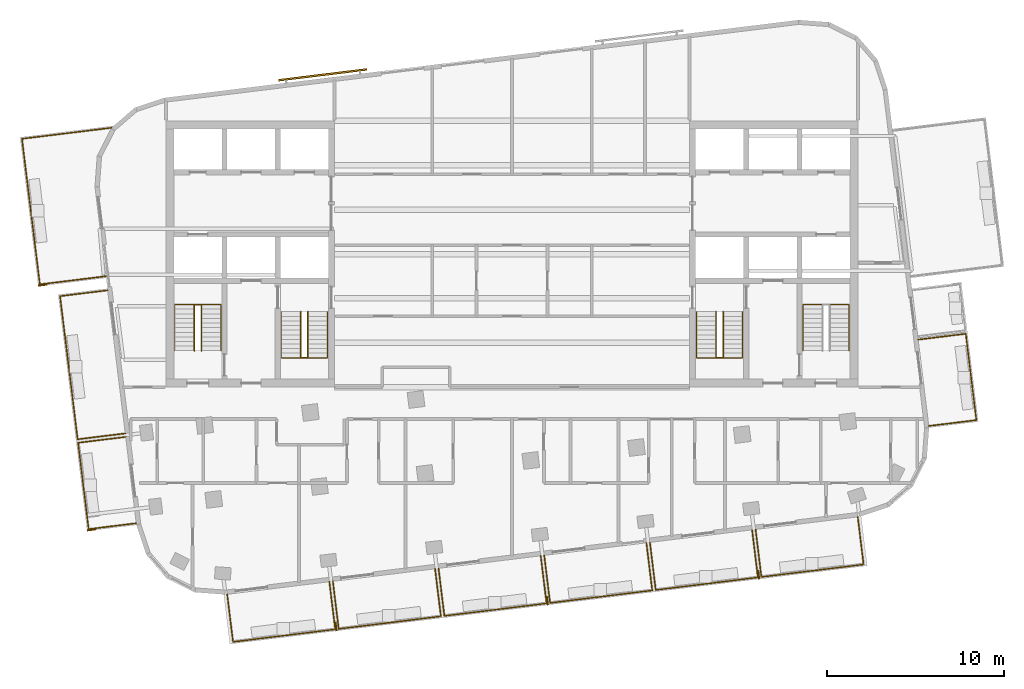
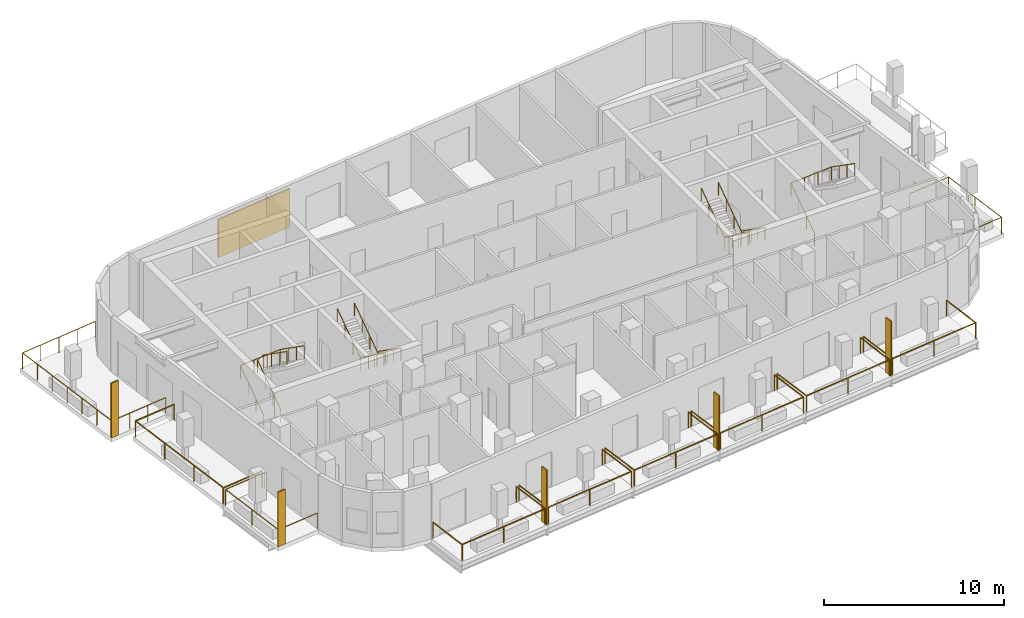
# One storey, part 9 of 11: 17 railings, 6 shading devices.
"""IFC4 building model written with IfcOpenShell, lengths in metres."""

from ifc_helpers import new_model, si_unit, direction, frame, origin, origin_2d, place, context, subcontext, project, spatial, rectangle, circle, extrude, material, layer, layer_set, type_object, element, save


model = new_model("IFC4")

# Units and contexts
model_context = context("Model", 3, precision=1e-05, world=origin(), true_north=direction((0.0, 1.0)))
body_context = subcontext(model_context, "Body", "Model", "MODEL_VIEW")
ifc_project = project(units=[si_unit("LENGTHUNIT", "METRE"), si_unit("AREAUNIT", "SQUARE_METRE"), si_unit("VOLUMEUNIT", "CUBIC_METRE"), si_unit("PLANEANGLEUNIT", "RADIAN"), si_unit("MASSUNIT", "GRAM", prefix="KILO")], contexts=[model_context])

# Site, building, storey
site_placement = place(None, origin())
site = spatial("IfcSite", under=ifc_project, at=site_placement, CompositionType="ELEMENT")
building_placement = place(site_placement, origin())
building = spatial("IfcBuilding", under=site, at=building_placement, Name="Torana Hotel and Residences", CompositionType="ELEMENT")
storey_placement = place(building_placement, frame((0.0, 0.0, 326.60009765625)))
storey = spatial("IfcBuildingStorey", under=building, at=storey_placement, Name="L86", CompositionType="ELEMENT", Elevation=326.60009765625)

# Shading devices
ifc_material_1 = material(Name="Black powder coated aluminium", Category="aluminium")
ifc_layer_1 = layer(ifc_material_1, 0.080078125)
ifc_layer_set_1 = layer_set([ifc_layer_1], Name="FN1 VERTICAL FIN 500x80")
shading_device_type_1 = type_object("IfcShadingDeviceType", Name="FN1 VERTICAL FIN 500x80", PredefinedType="USERDEFINED", material=ifc_layer_set_1)
for number, where, z_axis, x_axis, name in (
    (1, (-9.921142578125, -28.4931640625, 0.0), (0.0, 0.0, 1.0), (-0.99254657704, -0.121865878765, 0.0), "Fin 01"),
    (2, (1.989501953125, -27.03076171875, 0.0), (0.0, 0.0, 1.0), (-0.99254657704, -0.121865878765, 0.0), "Fin 03"),
    (3, (13.89990234375, -25.568359375, 0.0), (0.0, 0.0, 1.0), (-0.99254657704, -0.121865878765, 0.0), "Fin 05"),
    (4, (-23.6982421875, -23.04150390625, 0.0), (0.0, 0.0, 1.0), (-0.121881469635, 0.992544662652, 0.0), "Fin 07"),
    (5, (-26.44970703125, -9.2490234375, 0.0), (0.0, 0.0, 1.0), (-0.121871075725, 0.992545938938, 0.0), "Fin 09"),
):
    element("IfcShadingDevice", number, at=place(storey_placement, frame(where, z_axis=z_axis, x_axis=x_axis)), inside=storey, type_object=shading_device_type_1, Name=name, ObjectType="FIN", PredefinedType="USERDEFINED", context=body_context, shape_type="SweptSolid", body=[
        extrude(rectangle(XDim=0.080078125, YDim=0.5, at=origin_2d()), origin(), (0.0, 0.0, 1.0), 3.719970703125),
    ])

# Railings
ifc_material_2 = material(Name="Laminated glass balustrade with black handrail", Category="glass")
railing_type_1 = type_object("IfcRailingType", Name="GR1 BALCONY GUARD 1100 GLASS", PredefinedType="GUARDRAIL", material=ifc_material_2)
railing_1_placement = place(storey_placement, frame((-10.29150390625, -25.969482421875, 0.0)))
element("IfcRailing", 6, at=railing_1_placement, inside=storey, type_object=railing_type_1, Name="Balcony guard 01", PredefinedType="GUARDRAIL", context=body_context, shape_type="SweptSolid", body=[
    extrude(circle(Radius=0.02392578125, at=origin_2d()), frame((0.0, 0.0, 1.076171875), z_axis=(0.121886613265, -0.992544031017, 0.0), x_axis=(0.992544031017, 0.121886613265, 0.0)), (0.0, 0.0, 1.0), 2.699951171875),
    extrude(circle(Radius=0.02392578125, at=origin_2d()), frame((0.3291015625, -2.679931640625, 1.076171875), z_axis=(-0.992547475119, -0.121858564057, 0.0), x_axis=(0.121858564057, -0.992547475119, 0.0)), (0.0, 0.0, 1.0), 5.800048828125),
    extrude(circle(Radius=0.02392578125, at=origin_2d()), frame((-5.427734375, -3.38671875, 1.076171875), z_axis=(-0.121797534772, 0.992554965996, 0.0), x_axis=(-0.992554965996, -0.121797534772, 0.0)), (0.0, 0.0, 1.0), 2.699951171875),
    extrude(circle(Radius=0.02099609375, at=origin_2d()), origin(), (0.0, 0.0, 1.0), 1.052001953125),
    extrude(circle(Radius=0.02099609375, at=origin_2d()), frame((0.3291015625, -2.679931640625, 0.0)), (0.0, 0.0, 1.0), 1.052001953125),
    extrude(circle(Radius=0.02099609375, at=origin_2d()), frame((-2.54931640625, -3.033203125, 0.0)), (0.0, 0.0, 1.0), 1.052001953125),
    extrude(circle(Radius=0.02099609375, at=origin_2d()), frame((-5.427734375, -3.38671875, 0.0)), (0.0, 0.0, 1.0), 1.052001953125),
    extrude(circle(Radius=0.02099609375, at=origin_2d()), frame((-5.756591796875, -0.706787109375, 0.0)), (0.0, 0.0, 1.0), 1.052001953125),
])
for number, where, name in (
    (7, (-4.336181640625, -25.23828125, 0.0), "Balcony guard 02"),
    (8, (1.619140625, -24.507080078125, 0.0), "Balcony guard 03"),
):
    element("IfcRailing", number, at=place(storey_placement, frame(where)), inside=storey, type_object=railing_type_1, Name=name, PredefinedType="GUARDRAIL", context=body_context, shape_type="SweptSolid", body=[
        extrude(circle(Radius=0.02392578125, at=origin_2d()), frame((0.0, 0.0, 1.076171875), z_axis=(0.121886613265, -0.992544031017, 0.0), x_axis=(0.992544031017, 0.121886613265, 0.0)), (0.0, 0.0, 1.0), 2.699951171875),
        extrude(circle(Radius=0.02392578125, at=origin_2d()), frame((0.3291015625, -2.679931640625, 1.076171875), z_axis=(-0.992547475119, -0.121858564057, 0.0), x_axis=(0.121858564057, -0.992547475119, 0.0)), (0.0, 0.0, 1.0), 5.800048828125),
        extrude(circle(Radius=0.02392578125, at=origin_2d()), frame((-5.427734375, -3.38671875, 1.076171875), z_axis=(-0.121886613265, 0.992544031017, 0.0), x_axis=(-0.992544031017, -0.121886613265, 0.0)), (0.0, 0.0, 1.0), 2.699951171875),
        extrude(circle(Radius=0.02099609375, at=origin_2d()), origin(), (0.0, 0.0, 1.0), 1.052001953125),
        extrude(circle(Radius=0.02099609375, at=origin_2d()), frame((0.3291015625, -2.679931640625, 0.0)), (0.0, 0.0, 1.0), 1.052001953125),
        extrude(circle(Radius=0.02099609375, at=origin_2d()), frame((-2.54931640625, -3.033203125, 0.0)), (0.0, 0.0, 1.0), 1.052001953125),
        extrude(circle(Radius=0.02099609375, at=origin_2d()), frame((-5.427734375, -3.38671875, 0.0)), (0.0, 0.0, 1.0), 1.052001953125),
        extrude(circle(Radius=0.02099609375, at=origin_2d()), frame((-5.7568359375, -0.706787109375, 0.0)), (0.0, 0.0, 1.0), 1.052001953125),
    ])
railing_2_placement = place(storey_placement, frame((7.57421875, -23.77587890625, 0.0)))
element("IfcRailing", 9, at=railing_2_placement, inside=storey, type_object=railing_type_1, Name="Balcony guard 04", PredefinedType="GUARDRAIL", context=body_context, shape_type="SweptSolid", body=[
    extrude(circle(Radius=0.02392578125, at=origin_2d()), frame((0.0, 0.0, 1.076171875), z_axis=(0.121886613265, -0.992544031017, 0.0), x_axis=(0.992544031017, 0.121886613265, 0.0)), (0.0, 0.0, 1.0), 2.699951171875),
    extrude(circle(Radius=0.02392578125, at=origin_2d()), frame((0.3291015625, -2.679931640625, 1.076171875), z_axis=(-0.992546850023, -0.121863655406, 0.0), x_axis=(0.121863655406, -0.992546850023, 0.0)), (0.0, 0.0, 1.0), 5.7998046875),
    extrude(circle(Radius=0.02392578125, at=origin_2d()), frame((-5.427490234375, -3.38671875, 1.076171875), z_axis=(-0.121886613265, 0.992544031017, 0.0), x_axis=(-0.992544031017, -0.121886613265, 0.0)), (0.0, 0.0, 1.0), 2.699951171875),
    extrude(circle(Radius=0.02099609375, at=origin_2d()), origin(), (0.0, 0.0, 1.0), 1.052001953125),
    extrude(circle(Radius=0.02099609375, at=origin_2d()), frame((0.3291015625, -2.679931640625, 0.0)), (0.0, 0.0, 1.0), 1.052001953125),
    extrude(circle(Radius=0.02099609375, at=origin_2d()), frame((-2.54931640625, -3.033203125, 0.0)), (0.0, 0.0, 1.0), 1.052001953125),
    extrude(circle(Radius=0.02099609375, at=origin_2d()), frame((-5.427490234375, -3.38671875, 0.0)), (0.0, 0.0, 1.0), 1.052001953125),
    extrude(circle(Radius=0.02099609375, at=origin_2d()), frame((-5.756591796875, -0.706787109375, 0.0)), (0.0, 0.0, 1.0), 1.052001953125),
])
for number, where, name in (
    (10, (13.529541015625, -23.044677734375, 0.0), "Balcony guard 05"),
    (11, (19.48486328125, -22.3134765625, 0.0), "Balcony guard 06"),
):
    element("IfcRailing", number, at=place(storey_placement, frame(where)), inside=storey, type_object=railing_type_1, Name=name, PredefinedType="GUARDRAIL", context=body_context, shape_type="SweptSolid", body=[
        extrude(circle(Radius=0.02392578125, at=origin_2d()), frame((0.0, 0.0, 1.076171875), z_axis=(0.121886613265, -0.992544031017, 0.0), x_axis=(0.992544031017, 0.121886613265, 0.0)), (0.0, 0.0, 1.0), 2.699951171875),
        extrude(circle(Radius=0.02392578125, at=origin_2d()), frame((0.3291015625, -2.679931640625, 1.076171875), z_axis=(-0.992547475119, -0.121858564057, 0.0), x_axis=(0.121858564057, -0.992547475119, 0.0)), (0.0, 0.0, 1.0), 5.800048828125),
        extrude(circle(Radius=0.02392578125, at=origin_2d()), frame((-5.427734375, -3.38671875, 1.076171875), z_axis=(-0.121797534772, 0.992554965996, 0.0), x_axis=(-0.992554965996, -0.121797534772, 0.0)), (0.0, 0.0, 1.0), 2.699951171875),
        extrude(circle(Radius=0.02099609375, at=origin_2d()), origin(), (0.0, 0.0, 1.0), 1.052001953125),
        extrude(circle(Radius=0.02099609375, at=origin_2d()), frame((0.3291015625, -2.679931640625, 0.0)), (0.0, 0.0, 1.0), 1.052001953125),
        extrude(circle(Radius=0.02099609375, at=origin_2d()), frame((-2.54931640625, -3.033203125, 0.0)), (0.0, 0.0, 1.0), 1.052001953125),
        extrude(circle(Radius=0.02099609375, at=origin_2d()), frame((-5.427734375, -3.38671875, 0.0)), (0.0, 0.0, 1.0), 1.052001953125),
        extrude(circle(Radius=0.02099609375, at=origin_2d()), frame((-5.756591796875, -0.706787109375, 0.0)), (0.0, 0.0, 1.0), 1.052001953125),
    ])
railing_3_placement = place(storey_placement, frame((-21.174560546875, -22.671142578125, 0.0)))
element("IfcRailing", 12, at=railing_3_placement, inside=storey, type_object=railing_type_1, Name="Balcony guard 07", PredefinedType="GUARDRAIL", context=body_context, shape_type="SweptSolid", body=[
    extrude(circle(Radius=0.02392578125, at=origin_2d()), frame((0.0, 0.0, 1.076171875), z_axis=(-0.992544031017, -0.121886613265, 0.0), x_axis=(0.121886613265, -0.992544031017, 0.0)), (0.0, 0.0, 1.0), 2.699951171875),
    extrude(circle(Radius=0.02392578125, at=origin_2d()), frame((-2.679931640625, -0.3291015625, 1.076171875), z_axis=(-0.121869773493, 0.992546098833, 0.0), x_axis=(-0.992546098833, -0.121869773493, 0.0)), (0.0, 0.0, 1.0), 4.900146484375),
    extrude(circle(Radius=0.02392578125, at=origin_2d()), frame((-3.277099609375, 4.534423828125, 1.076171875), z_axis=(0.992554965996, 0.121797534772, 0.0), x_axis=(-0.121797534772, 0.992554965996, 0.0)), (0.0, 0.0, 1.0), 2.699951171875),
    extrude(circle(Radius=0.02099609375, at=origin_2d()), origin(), (0.0, 0.0, 1.0), 1.052001953125),
    extrude(circle(Radius=0.02099609375, at=origin_2d()), frame((-2.679931640625, -0.3291015625, 0.0)), (0.0, 0.0, 1.0), 1.052001953125),
    extrude(circle(Radius=0.02099609375, at=origin_2d()), frame((-2.978515625, 2.1025390625, 0.0)), (0.0, 0.0, 1.0), 1.052001953125),
    extrude(circle(Radius=0.02099609375, at=origin_2d()), frame((-3.277099609375, 4.534423828125, 0.0)), (0.0, 0.0, 1.0), 1.052001953125),
    extrude(circle(Radius=0.02099609375, at=origin_2d()), frame((-0.59716796875, 4.86328125, 0.0)), (0.0, 0.0, 1.0), 1.052001953125),
])
railing_4_placement = place(storey_placement, frame((-21.796142578125, -17.609130859375, 0.0)))
element("IfcRailing", 13, at=railing_4_placement, inside=storey, type_object=railing_type_1, Name="Balcony guard 08", PredefinedType="GUARDRAIL", context=body_context, shape_type="SweptSolid", body=[
    extrude(circle(Radius=0.02392578125, at=origin_2d()), frame((0.0, 0.0, 1.076171875), z_axis=(-0.992544031017, -0.121886613265, 0.0), x_axis=(0.121886613265, -0.992544031017, 0.0)), (0.0, 0.0, 1.0), 2.699951171875),
    extrude(circle(Radius=0.02392578125, at=origin_2d()), frame((-2.679931640625, -0.3291015625, 1.076171875), z_axis=(-0.121845081243, 0.992549130359, 0.0), x_axis=(-0.992549130359, -0.121845081243, 0.0)), (0.0, 0.0, 1.0), 8.125),
    extrude(circle(Radius=0.02392578125, at=origin_2d()), frame((-3.669921875, 7.7353515625, 1.076171875), z_axis=(0.992554965996, 0.121797534772, 0.0), x_axis=(-0.121797534772, 0.992554965996, 0.0)), (0.0, 0.0, 1.0), 2.699951171875),
    extrude(circle(Radius=0.02099609375, at=origin_2d()), origin(), (0.0, 0.0, 1.0), 1.052001953125),
    extrude(circle(Radius=0.02099609375, at=origin_2d()), frame((-2.679931640625, -0.3291015625, 0.0)), (0.0, 0.0, 1.0), 1.052001953125),
    extrude(circle(Radius=0.02099609375, at=origin_2d()), frame((-3.010009765625, 2.359130859375, 0.0)), (0.0, 0.0, 1.0), 1.052001953125),
    extrude(circle(Radius=0.02099609375, at=origin_2d()), frame((-3.33984375, 5.047119140625, 0.0)), (0.0, 0.0, 1.0), 1.052001953125),
    extrude(circle(Radius=0.02099609375, at=origin_2d()), frame((-3.669921875, 7.7353515625, 0.0)), (0.0, 0.0, 1.0), 1.052001953125),
    extrude(circle(Radius=0.02099609375, at=origin_2d()), frame((-0.989990234375, 8.064208984375, 0.0)), (0.0, 0.0, 1.0), 1.052001953125),
])
railing_5_placement = place(storey_placement, frame((-22.8837890625, -8.750732421875, 0.0)))
element("IfcRailing", 14, at=railing_5_placement, inside=storey, type_object=railing_type_1, Name="Balcony guard 09", PredefinedType="GUARDRAIL", context=body_context, shape_type="SweptSolid", body=[
    extrude(circle(Radius=0.02392578125, at=origin_2d()), frame((0.0, 0.0, 1.076171875), z_axis=(-0.992544975267, -0.121878923824, 0.0), x_axis=(0.121878923824, -0.992544975267, 0.0)), (0.0, 0.0, 1.0), 3.75),
    extrude(circle(Radius=0.02392578125, at=origin_2d()), frame((-3.721923828125, -0.45703125, 1.076171875), z_axis=(-0.121878024543, 0.992545085693, 0.0), x_axis=(-0.992545085693, -0.121878024543, 0.0)), (0.0, 0.0, 1.0), 8.262939453125),
    extrude(circle(Radius=0.02392578125, at=origin_2d()), frame((-4.72900390625, 7.744384765625, 1.076171875), z_axis=(0.992542638755, 0.12189795016, 0.0), x_axis=(-0.12189795016, 0.992542638755, 0.0)), (0.0, 0.0, 1.0), 5.0771484375),
    extrude(circle(Radius=0.02099609375, at=origin_2d()), origin(), (0.0, 0.0, 1.0), 1.052001953125),
    extrude(circle(Radius=0.02099609375, at=origin_2d()), frame((-1.24072265625, -0.15234375, 0.0)), (0.0, 0.0, 1.0), 1.052001953125),
    extrude(circle(Radius=0.02099609375, at=origin_2d()), frame((-2.481201171875, -0.3046875, 0.0)), (0.0, 0.0, 1.0), 1.052001953125),
    extrude(circle(Radius=0.02099609375, at=origin_2d()), frame((-3.721923828125, -0.45703125, 0.0)), (0.0, 0.0, 1.0), 1.052001953125),
    extrude(circle(Radius=0.02099609375, at=origin_2d()), frame((-3.8896484375, 0.909912109375, 0.0)), (0.0, 0.0, 1.0), 1.052001953125),
    extrude(circle(Radius=0.02099609375, at=origin_2d()), frame((-4.0576171875, 2.27685546875, 0.0)), (0.0, 0.0, 1.0), 1.052001953125),
    extrude(circle(Radius=0.02099609375, at=origin_2d()), frame((-4.2255859375, 3.6435546875, 0.0)), (0.0, 0.0, 1.0), 1.052001953125),
    extrude(circle(Radius=0.02099609375, at=origin_2d()), frame((-4.393310546875, 5.010498046875, 0.0)), (0.0, 0.0, 1.0), 1.052001953125),
    extrude(circle(Radius=0.02099609375, at=origin_2d()), frame((-4.56103515625, 6.37744140625, 0.0)), (0.0, 0.0, 1.0), 1.052001953125),
    extrude(circle(Radius=0.02099609375, at=origin_2d()), frame((-4.72900390625, 7.744384765625, 0.0)), (0.0, 0.0, 1.0), 1.052001953125),
    extrude(circle(Radius=0.02099609375, at=origin_2d()), frame((-3.46923828125, 7.899169921875, 0.0)), (0.0, 0.0, 1.0), 1.052001953125),
    extrude(circle(Radius=0.02099609375, at=origin_2d()), frame((-2.20947265625, 8.0537109375, 0.0)), (0.0, 0.0, 1.0), 1.052001953125),
    extrude(circle(Radius=0.02099609375, at=origin_2d()), frame((-0.949462890625, 8.20849609375, 0.0)), (0.0, 0.0, 1.0), 1.052001953125),
    extrude(circle(Radius=0.02099609375, at=origin_2d()), frame((0.310302734375, 8.36328125, 0.0)), (0.0, 0.0, 1.0), 1.052001953125),
])
railing_6_placement = place(storey_placement, frame((22.892822265625, -12.32373046875, 0.0)))
element("IfcRailing", 15, at=railing_6_placement, inside=storey, type_object=railing_type_1, Name="Balcony guard 10", PredefinedType="GUARDRAIL", context=body_context, shape_type="SweptSolid", body=[
    extrude(circle(Radius=0.02392578125, at=origin_2d()), frame((0.0, 0.0, 1.076171875), z_axis=(0.992544031017, 0.121886613265, 0.0), x_axis=(-0.121886613265, 0.992544031017, 0.0)), (0.0, 0.0, 1.0), 2.699951171875),
    extrude(circle(Radius=0.02392578125, at=origin_2d()), frame((2.679931640625, 0.3291015625, 1.076171875), z_axis=(0.121869773493, -0.992546098833, 0.0), x_axis=(0.992546098833, 0.121869773493, 0.0)), (0.0, 0.0, 1.0), 4.900146484375),
    extrude(circle(Radius=0.02392578125, at=origin_2d()), frame((3.277099609375, -4.534423828125, 1.076171875), z_axis=(-0.992554965996, -0.121797534772, 0.0), x_axis=(0.121797534772, -0.992554965996, 0.0)), (0.0, 0.0, 1.0), 2.699951171875),
    extrude(circle(Radius=0.02099609375, at=origin_2d()), origin(), (0.0, 0.0, 1.0), 1.052001953125),
    extrude(circle(Radius=0.02099609375, at=origin_2d()), frame((2.679931640625, 0.3291015625, 0.0)), (0.0, 0.0, 1.0), 1.052001953125),
    extrude(circle(Radius=0.02099609375, at=origin_2d()), frame((2.978515625, -2.1025390625, 0.0)), (0.0, 0.0, 1.0), 1.052001953125),
    extrude(circle(Radius=0.02099609375, at=origin_2d()), frame((3.277099609375, -4.534423828125, 0.0)), (0.0, 0.0, 1.0), 1.052001953125),
    extrude(circle(Radius=0.02099609375, at=origin_2d()), frame((0.59716796875, -4.86328125, 0.0)), (0.0, 0.0, 1.0), 1.052001953125),
])

# Shading device
ifc_material_3 = material(Name="Concrete C40/50 precast", Category="concrete")
ifc_layer_2 = layer(ifc_material_3, 0.10009765625)
ifc_layer_set_2 = layer_set([ifc_layer_2], Name="SC1 PERFORATED BLOCK SCREEN PANEL 100")
shading_device_type_2 = type_object("IfcShadingDeviceType", Name="SC1 PERFORATED BLOCK SCREEN PANEL 100", PredefinedType="USERDEFINED", material=ifc_layer_set_2)
shading_device_placement = place(storey_placement, frame((-10.663330078125, 2.59814453125, 0.499755859375), z_axis=(0.0, 0.0, 1.0), x_axis=(-0.99254657704, -0.121865878765, 0.0)))
element("IfcShadingDevice", 16, at=shading_device_placement, inside=storey, type_object=shading_device_type_2, Name="Perforated block screen L86", ObjectType="SCREEN", PredefinedType="USERDEFINED", context=body_context, shape_type="SweptSolid", body=[
    extrude(rectangle(XDim=5.0, YDim=0.10009765625, at=origin_2d()), origin(), (0.0, 0.0, 1.0), 2.60009765625),
])

# Railings
ifc_material_4 = material(Name="Stainless steel 316", Category="steel")
railing_type_2 = type_object("IfcRailingType", Name="STAIR HANDRAIL HR1 900", PredefinedType="HANDRAIL", material=ifc_material_4)
railing_7_placement = place(storey_placement, frame((-10.39990234375, -10.75, 0.181640625)))
element("IfcRailing", 17, at=railing_7_placement, inside=storey, type_object=railing_type_2, Name="Handrail ST1 L86 O1", PredefinedType="HANDRAIL", context=body_context, shape_type="SweptSolid", body=[
    extrude(circle(Radius=0.02392578125, at=origin_2d()), frame((0.0, 0.0, 0.8759765625), z_axis=(0.0, -0.819484887739, 0.573100792852), x_axis=(1.0, 0.0, 0.0)), (0.0, 0.0, 1.0), 3.1728515625),
    extrude(circle(Radius=0.02392578125, at=origin_2d()), frame((0.0, -2.60009765625, 2.6943359375), z_axis=(-0.997568744571, 0.0, 0.06968930948), x_axis=(0.0, -1.0, 0.0)), (0.0, 0.0, 1.0), 2.6064453125),
    extrude(circle(Radius=0.02392578125, at=origin_2d()), frame((-2.60009765625, -2.60009765625, 2.8759765625), z_axis=(0.0, 0.819484887739, 0.573100792852), x_axis=(-1.0, 0.0, 0.0)), (0.0, 0.0, 1.0), 3.1728515625),
    extrude(circle(Radius=0.02099609375, at=origin_2d()), origin(), (0.0, 0.0, 1.0), 0.851806640625),
    extrude(circle(Radius=0.02099609375, at=origin_2d()), frame((0.0, -0.86669921875, 0.606201171875)), (0.0, 0.0, 1.0), 0.851806640625),
    extrude(circle(Radius=0.02099609375, at=origin_2d()), frame((0.0, -1.7333984375, 1.212158203125)), (0.0, 0.0, 1.0), 0.851806640625),
    extrude(circle(Radius=0.02099609375, at=origin_2d()), frame((0.0, -2.60009765625, 1.818359375)), (0.0, 0.0, 1.0), 0.851806640625),
    extrude(circle(Radius=0.02099609375, at=origin_2d()), frame((-0.86669921875, -2.60009765625, 1.87890625)), (0.0, 0.0, 1.0), 0.851806640625),
    extrude(circle(Radius=0.02099609375, at=origin_2d()), frame((-1.7333984375, -2.60009765625, 1.939453125)), (0.0, 0.0, 1.0), 0.851806640625),
    extrude(circle(Radius=0.02099609375, at=origin_2d()), frame((-2.60009765625, -2.60009765625, 2.0)), (0.0, 0.0, 1.0), 0.851806640625),
    extrude(circle(Radius=0.02099609375, at=origin_2d()), frame((-2.60009765625, -1.7333984375, 2.606201171875)), (0.0, 0.0, 1.0), 0.851806640625),
    extrude(circle(Radius=0.02099609375, at=origin_2d()), frame((-2.60009765625, -0.86669921875, 3.212158203125)), (0.0, 0.0, 1.0), 0.851806640625),
    extrude(circle(Radius=0.02099609375, at=origin_2d()), frame((-2.60009765625, 0.0, 3.818359375)), (0.0, 0.0, 1.0), 0.851806640625),
])
railing_8_placement = place(storey_placement, frame((-11.5, -10.75, 0.181640625)))
element("IfcRailing", 18, at=railing_8_placement, inside=storey, type_object=railing_type_2, Name="Handrail ST1 L86 I1", PredefinedType="HANDRAIL", context=body_context, shape_type="SweptSolid", body=[
    extrude(circle(Radius=0.02392578125, at=origin_2d()), frame((0.0, 0.0, 0.8759765625), z_axis=(0.0, -0.819484887739, 0.573100792852), x_axis=(1.0, 0.0, 0.0)), (0.0, 0.0, 1.0), 3.1728515625),
    extrude(circle(Radius=0.02392578125, at=origin_2d()), frame((0.0, -2.60009765625, 2.6943359375), z_axis=(-0.910480658332, 0.0, 0.413551654334), x_axis=(0.0, -1.0, 0.0)), (0.0, 0.0, 1.0), 0.439208984375),
    extrude(circle(Radius=0.02392578125, at=origin_2d()), frame((-0.39990234375, -2.60009765625, 2.8759765625), z_axis=(0.0, 0.819484887739, 0.573100792852), x_axis=(-1.0, 0.0, 0.0)), (0.0, 0.0, 1.0), 3.1728515625),
    extrude(circle(Radius=0.02099609375, at=origin_2d()), origin(), (0.0, 0.0, 1.0), 0.851806640625),
    extrude(circle(Radius=0.02099609375, at=origin_2d()), frame((0.0, -0.86669921875, 0.606201171875)), (0.0, 0.0, 1.0), 0.851806640625),
    extrude(circle(Radius=0.02099609375, at=origin_2d()), frame((0.0, -1.7333984375, 1.212158203125)), (0.0, 0.0, 1.0), 0.851806640625),
    extrude(circle(Radius=0.02099609375, at=origin_2d()), frame((0.0, -2.60009765625, 1.818359375)), (0.0, 0.0, 1.0), 0.851806640625),
    extrude(circle(Radius=0.02099609375, at=origin_2d()), frame((-0.39990234375, -2.60009765625, 2.0)), (0.0, 0.0, 1.0), 0.851806640625),
    extrude(circle(Radius=0.02099609375, at=origin_2d()), frame((-0.39990234375, -1.7333984375, 2.606201171875)), (0.0, 0.0, 1.0), 0.851806640625),
    extrude(circle(Radius=0.02099609375, at=origin_2d()), frame((-0.39990234375, -0.86669921875, 3.212158203125)), (0.0, 0.0, 1.0), 0.851806640625),
    extrude(circle(Radius=0.02099609375, at=origin_2d()), frame((-0.39990234375, 0.0, 3.818359375)), (0.0, 0.0, 1.0), 0.851806640625),
])
railing_9_placement = place(storey_placement, frame((-19.0, -12.949951171875, 0.181640625)))
element("IfcRailing", 19, at=railing_9_placement, inside=storey, type_object=railing_type_2, Name="Handrail ST2 L86 O1", PredefinedType="HANDRAIL", context=body_context, shape_type="SweptSolid", body=[
    extrude(circle(Radius=0.02392578125, at=origin_2d()), frame((0.0, 0.0, 0.8759765625), z_axis=(0.0, 0.819459612548, 0.573136932506), x_axis=(-1.0, 0.0, 0.0)), (0.0, 0.0, 1.0), 3.172607421875),
    extrude(circle(Radius=0.02392578125, at=origin_2d()), frame((0.0, 2.599853515625, 2.6943359375), z_axis=(0.997568744571, 0.0, 0.06968930948), x_axis=(0.0, 1.0, 0.0)), (0.0, 0.0, 1.0), 2.6064453125),
    extrude(circle(Radius=0.02392578125, at=origin_2d()), frame((2.60009765625, 2.599853515625, 2.8759765625), z_axis=(0.0, -0.819459612548, 0.573136932506), x_axis=(1.0, 0.0, 0.0)), (0.0, 0.0, 1.0), 3.172607421875),
    extrude(circle(Radius=0.02099609375, at=origin_2d()), origin(), (0.0, 0.0, 1.0), 0.851806640625),
    extrude(circle(Radius=0.02099609375, at=origin_2d()), frame((0.0, 0.86669921875, 0.606201171875)), (0.0, 0.0, 1.0), 0.851806640625),
    extrude(circle(Radius=0.02099609375, at=origin_2d()), frame((0.0, 1.733154296875, 1.212158203125)), (0.0, 0.0, 1.0), 0.851806640625),
    extrude(circle(Radius=0.02099609375, at=origin_2d()), frame((0.0, 2.599853515625, 1.818359375)), (0.0, 0.0, 1.0), 0.851806640625),
    extrude(circle(Radius=0.02099609375, at=origin_2d()), frame((0.86669921875, 2.599853515625, 1.87890625)), (0.0, 0.0, 1.0), 0.851806640625),
    extrude(circle(Radius=0.02099609375, at=origin_2d()), frame((1.7333984375, 2.599853515625, 1.939453125)), (0.0, 0.0, 1.0), 0.851806640625),
    extrude(circle(Radius=0.02099609375, at=origin_2d()), frame((2.60009765625, 2.599853515625, 2.0)), (0.0, 0.0, 1.0), 0.851806640625),
    extrude(circle(Radius=0.02099609375, at=origin_2d()), frame((2.60009765625, 1.733154296875, 2.606201171875)), (0.0, 0.0, 1.0), 0.851806640625),
    extrude(circle(Radius=0.02099609375, at=origin_2d()), frame((2.60009765625, 0.86669921875, 3.212158203125)), (0.0, 0.0, 1.0), 0.851806640625),
    extrude(circle(Radius=0.02099609375, at=origin_2d()), frame((2.60009765625, 0.0, 3.818359375)), (0.0, 0.0, 1.0), 0.851806640625),
])
railing_10_placement = place(storey_placement, frame((-17.89990234375, -12.949951171875, 0.181640625)))
element("IfcRailing", 20, at=railing_10_placement, inside=storey, type_object=railing_type_2, Name="Handrail ST2 L86 I1", PredefinedType="HANDRAIL", context=body_context, shape_type="SweptSolid", body=[
    extrude(circle(Radius=0.02392578125, at=origin_2d()), frame((0.0, 0.0, 0.8759765625), z_axis=(0.0, 0.819459612548, 0.573136932506), x_axis=(-1.0, 0.0, 0.0)), (0.0, 0.0, 1.0), 3.172607421875),
    extrude(circle(Radius=0.02392578125, at=origin_2d()), frame((0.0, 2.599853515625, 2.6943359375), z_axis=(0.910480658332, 0.0, 0.413551654334), x_axis=(0.0, 1.0, 0.0)), (0.0, 0.0, 1.0), 0.439208984375),
    extrude(circle(Radius=0.02392578125, at=origin_2d()), frame((0.39990234375, 2.599853515625, 2.8759765625), z_axis=(0.0, -0.819459612548, 0.573136932506), x_axis=(1.0, 0.0, 0.0)), (0.0, 0.0, 1.0), 3.172607421875),
    extrude(circle(Radius=0.02099609375, at=origin_2d()), origin(), (0.0, 0.0, 1.0), 0.851806640625),
    extrude(circle(Radius=0.02099609375, at=origin_2d()), frame((0.0, 0.86669921875, 0.606201171875)), (0.0, 0.0, 1.0), 0.851806640625),
    extrude(circle(Radius=0.02099609375, at=origin_2d()), frame((0.0, 1.733154296875, 1.212158203125)), (0.0, 0.0, 1.0), 0.851806640625),
    extrude(circle(Radius=0.02099609375, at=origin_2d()), frame((0.0, 2.599853515625, 1.818359375)), (0.0, 0.0, 1.0), 0.851806640625),
    extrude(circle(Radius=0.02099609375, at=origin_2d()), frame((0.39990234375, 2.599853515625, 2.0)), (0.0, 0.0, 1.0), 0.851806640625),
    extrude(circle(Radius=0.02099609375, at=origin_2d()), frame((0.39990234375, 1.733154296875, 2.606201171875)), (0.0, 0.0, 1.0), 0.851806640625),
    extrude(circle(Radius=0.02099609375, at=origin_2d()), frame((0.39990234375, 0.86669921875, 3.212158203125)), (0.0, 0.0, 1.0), 0.851806640625),
    extrude(circle(Radius=0.02099609375, at=origin_2d()), frame((0.39990234375, 0.0, 3.818359375)), (0.0, 0.0, 1.0), 0.851806640625),
])
railing_11_placement = place(storey_placement, frame((13.0, -10.75, 0.181640625)))
element("IfcRailing", 21, at=railing_11_placement, inside=storey, type_object=railing_type_2, Name="Handrail ST3 L86 O1", PredefinedType="HANDRAIL", context=body_context, shape_type="SweptSolid", body=[
    extrude(circle(Radius=0.02392578125, at=origin_2d()), frame((0.0, 0.0, 0.8759765625), z_axis=(0.0, -0.819484887739, 0.573100792852), x_axis=(1.0, 0.0, 0.0)), (0.0, 0.0, 1.0), 3.1728515625),
    extrude(circle(Radius=0.02392578125, at=origin_2d()), frame((0.0, -2.60009765625, 2.6943359375), z_axis=(-0.997568744571, 0.0, 0.06968930948), x_axis=(0.0, -1.0, 0.0)), (0.0, 0.0, 1.0), 2.6064453125),
    extrude(circle(Radius=0.02392578125, at=origin_2d()), frame((-2.60009765625, -2.60009765625, 2.8759765625), z_axis=(0.0, 0.819484887739, 0.573100792852), x_axis=(-1.0, 0.0, 0.0)), (0.0, 0.0, 1.0), 3.1728515625),
    extrude(circle(Radius=0.02099609375, at=origin_2d()), origin(), (0.0, 0.0, 1.0), 0.851806640625),
    extrude(circle(Radius=0.02099609375, at=origin_2d()), frame((0.0, -0.86669921875, 0.606201171875)), (0.0, 0.0, 1.0), 0.851806640625),
    extrude(circle(Radius=0.02099609375, at=origin_2d()), frame((0.0, -1.7333984375, 1.212158203125)), (0.0, 0.0, 1.0), 0.851806640625),
    extrude(circle(Radius=0.02099609375, at=origin_2d()), frame((0.0, -2.60009765625, 1.818359375)), (0.0, 0.0, 1.0), 0.851806640625),
    extrude(circle(Radius=0.02099609375, at=origin_2d()), frame((-0.86669921875, -2.60009765625, 1.87890625)), (0.0, 0.0, 1.0), 0.851806640625),
    extrude(circle(Radius=0.02099609375, at=origin_2d()), frame((-1.7333984375, -2.60009765625, 1.939453125)), (0.0, 0.0, 1.0), 0.851806640625),
    extrude(circle(Radius=0.02099609375, at=origin_2d()), frame((-2.60009765625, -2.60009765625, 2.0)), (0.0, 0.0, 1.0), 0.851806640625),
    extrude(circle(Radius=0.02099609375, at=origin_2d()), frame((-2.60009765625, -1.7333984375, 2.606201171875)), (0.0, 0.0, 1.0), 0.851806640625),
    extrude(circle(Radius=0.02099609375, at=origin_2d()), frame((-2.60009765625, -0.86669921875, 3.212158203125)), (0.0, 0.0, 1.0), 0.851806640625),
    extrude(circle(Radius=0.02099609375, at=origin_2d()), frame((-2.60009765625, 0.0, 3.818359375)), (0.0, 0.0, 1.0), 0.851806640625),
])
railing_12_placement = place(storey_placement, frame((11.89990234375, -10.75, 0.181640625)))
element("IfcRailing", 22, at=railing_12_placement, inside=storey, type_object=railing_type_2, Name="Handrail ST3 L86 I1", PredefinedType="HANDRAIL", context=body_context, shape_type="SweptSolid", body=[
    extrude(circle(Radius=0.02392578125, at=origin_2d()), frame((0.0, 0.0, 0.8759765625), z_axis=(0.0, -0.819484887739, 0.573100792852), x_axis=(1.0, 0.0, 0.0)), (0.0, 0.0, 1.0), 3.1728515625),
    extrude(circle(Radius=0.02392578125, at=origin_2d()), frame((0.0, -2.60009765625, 2.6943359375), z_axis=(-0.910480658332, 0.0, 0.413551654334), x_axis=(0.0, -1.0, 0.0)), (0.0, 0.0, 1.0), 0.439208984375),
    extrude(circle(Radius=0.02392578125, at=origin_2d()), frame((-0.39990234375, -2.60009765625, 2.8759765625), z_axis=(0.0, 0.819484887739, 0.573100792852), x_axis=(-1.0, 0.0, 0.0)), (0.0, 0.0, 1.0), 3.1728515625),
    extrude(circle(Radius=0.02099609375, at=origin_2d()), origin(), (0.0, 0.0, 1.0), 0.851806640625),
    extrude(circle(Radius=0.02099609375, at=origin_2d()), frame((0.0, -0.86669921875, 0.606201171875)), (0.0, 0.0, 1.0), 0.851806640625),
    extrude(circle(Radius=0.02099609375, at=origin_2d()), frame((0.0, -1.7333984375, 1.212158203125)), (0.0, 0.0, 1.0), 0.851806640625),
    extrude(circle(Radius=0.02099609375, at=origin_2d()), frame((0.0, -2.60009765625, 1.818359375)), (0.0, 0.0, 1.0), 0.851806640625),
    extrude(circle(Radius=0.02099609375, at=origin_2d()), frame((-0.39990234375, -2.60009765625, 2.0)), (0.0, 0.0, 1.0), 0.851806640625),
    extrude(circle(Radius=0.02099609375, at=origin_2d()), frame((-0.39990234375, -1.7333984375, 2.606201171875)), (0.0, 0.0, 1.0), 0.851806640625),
    extrude(circle(Radius=0.02099609375, at=origin_2d()), frame((-0.39990234375, -0.86669921875, 3.212158203125)), (0.0, 0.0, 1.0), 0.851806640625),
    extrude(circle(Radius=0.02099609375, at=origin_2d()), frame((-0.39990234375, 0.0, 3.818359375)), (0.0, 0.0, 1.0), 0.851806640625),
])
railing_13_placement = place(storey_placement, frame((16.39990234375, -12.949951171875, 0.181640625)))
element("IfcRailing", 23, at=railing_13_placement, inside=storey, type_object=railing_type_2, Name="Handrail ST4 L86 O1", PredefinedType="HANDRAIL", context=body_context, shape_type="SweptSolid", body=[
    extrude(circle(Radius=0.02392578125, at=origin_2d()), frame((0.0, 0.0, 0.8759765625), z_axis=(0.0, 0.819459612548, 0.573136932506), x_axis=(-1.0, 0.0, 0.0)), (0.0, 0.0, 1.0), 3.172607421875),
    extrude(circle(Radius=0.02392578125, at=origin_2d()), frame((0.0, 2.599853515625, 2.6943359375), z_axis=(0.997568744571, 0.0, 0.06968930948), x_axis=(0.0, 1.0, 0.0)), (0.0, 0.0, 1.0), 2.6064453125),
    extrude(circle(Radius=0.02392578125, at=origin_2d()), frame((2.60009765625, 2.599853515625, 2.8759765625), z_axis=(0.0, -0.819459612548, 0.573136932506), x_axis=(1.0, 0.0, 0.0)), (0.0, 0.0, 1.0), 3.172607421875),
    extrude(circle(Radius=0.02099609375, at=origin_2d()), origin(), (0.0, 0.0, 1.0), 0.851806640625),
    extrude(circle(Radius=0.02099609375, at=origin_2d()), frame((0.0, 0.86669921875, 0.606201171875)), (0.0, 0.0, 1.0), 0.851806640625),
    extrude(circle(Radius=0.02099609375, at=origin_2d()), frame((0.0, 1.733154296875, 1.212158203125)), (0.0, 0.0, 1.0), 0.851806640625),
    extrude(circle(Radius=0.02099609375, at=origin_2d()), frame((0.0, 2.599853515625, 1.818359375)), (0.0, 0.0, 1.0), 0.851806640625),
    extrude(circle(Radius=0.02099609375, at=origin_2d()), frame((0.86669921875, 2.599853515625, 1.87890625)), (0.0, 0.0, 1.0), 0.851806640625),
    extrude(circle(Radius=0.02099609375, at=origin_2d()), frame((1.7333984375, 2.599853515625, 1.939453125)), (0.0, 0.0, 1.0), 0.851806640625),
    extrude(circle(Radius=0.02099609375, at=origin_2d()), frame((2.60009765625, 2.599853515625, 2.0)), (0.0, 0.0, 1.0), 0.851806640625),
    extrude(circle(Radius=0.02099609375, at=origin_2d()), frame((2.60009765625, 1.733154296875, 2.606201171875)), (0.0, 0.0, 1.0), 0.851806640625),
    extrude(circle(Radius=0.02099609375, at=origin_2d()), frame((2.60009765625, 0.86669921875, 3.212158203125)), (0.0, 0.0, 1.0), 0.851806640625),
    extrude(circle(Radius=0.02099609375, at=origin_2d()), frame((2.60009765625, 0.0, 3.818359375)), (0.0, 0.0, 1.0), 0.851806640625),
])

save(model, "model.ifc")
